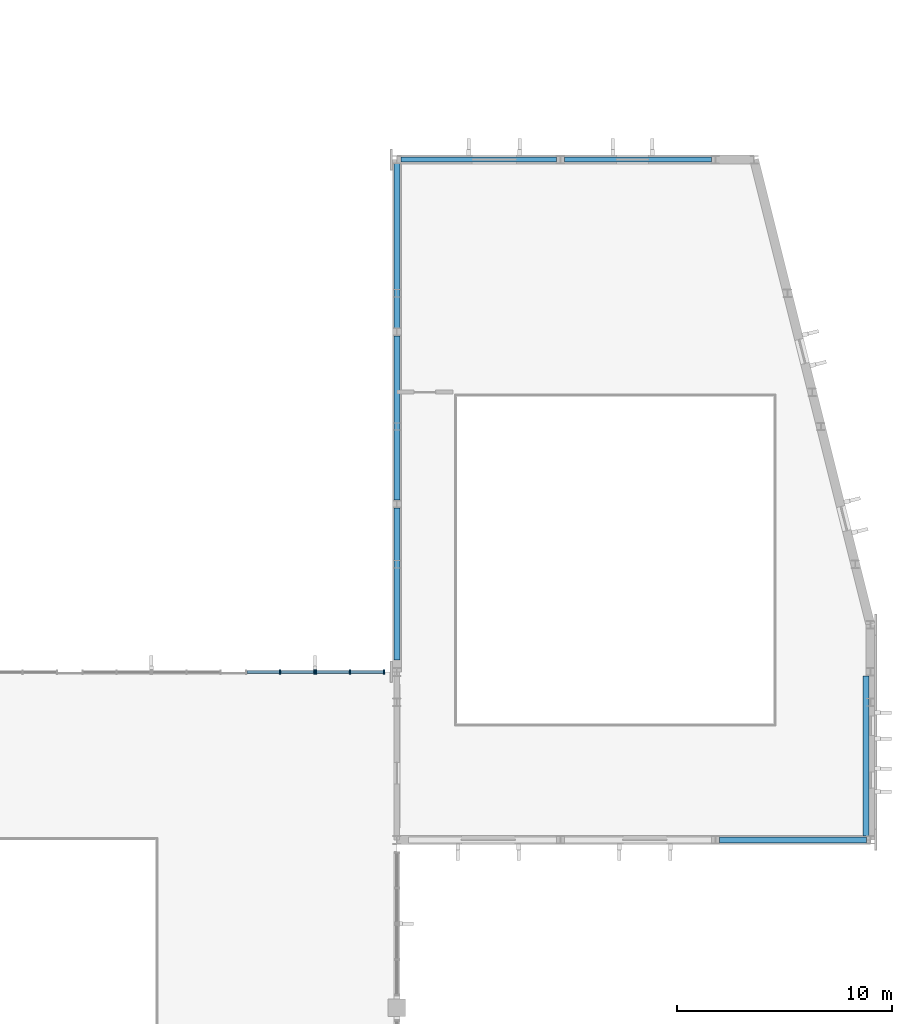
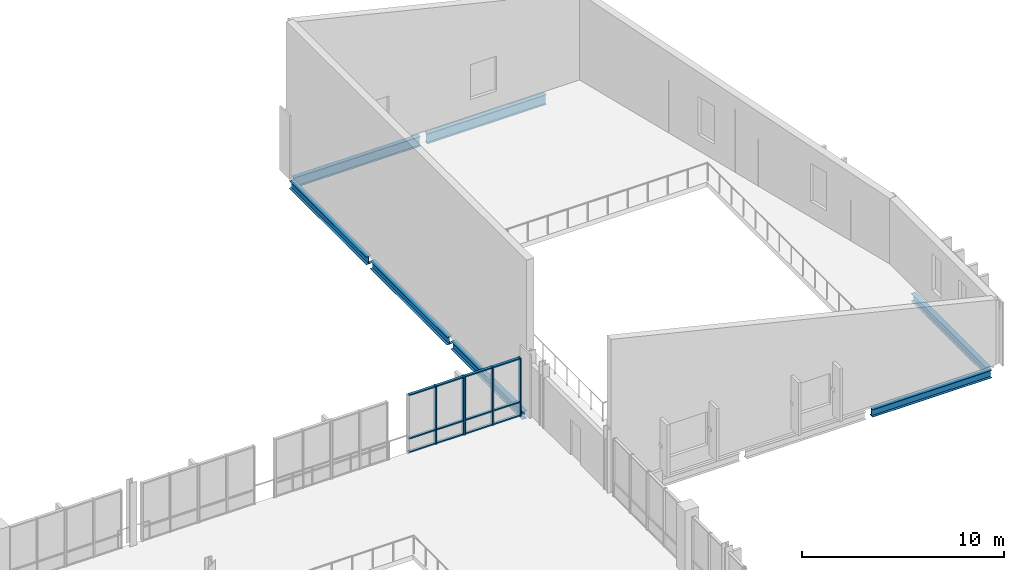
# One storey, part 28 of 64: 17 members, 7 beams, 2 elements without a shape of their own.
"""IFC4 building model written with IfcOpenShell, lengths in metres."""

from ifc_helpers import new_model, si_unit, direction, frame, origin, origin_2d, place, context, subcontext, project, spatial, rectangle, i_section, extrude, material, material_profile, profile_set, type_object, element, aggregate, save


model = new_model("IFC4")

# Units and contexts
model_context = context("Model", 3, precision=1e-05, world=origin(), true_north=direction((0.0, 1.0)))
body_context = subcontext(model_context, "Body", "Model", "MODEL_VIEW")
ifc_project = project(units=[si_unit("LENGTHUNIT", "METRE"), si_unit("AREAUNIT", "SQUARE_METRE"), si_unit("VOLUMEUNIT", "CUBIC_METRE"), si_unit("PLANEANGLEUNIT", "RADIAN"), si_unit("MASSUNIT", "GRAM", prefix="KILO")], contexts=[model_context])

# Site, building, storey
site_placement = place(None, origin())
site = spatial("IfcSite", under=ifc_project, at=site_placement, CompositionType="ELEMENT")
building_placement = place(site_placement, origin())
building = spatial("IfcBuilding", under=site, at=building_placement, Name="Vervanel Yard Central Library", CompositionType="ELEMENT")
storey_placement = place(building_placement, frame((0.0, 0.0, 8.93994140625)))
storey = spatial("IfcBuildingStorey", under=building, at=storey_placement, Name="L02", CompositionType="ELEMENT", Elevation=8.93994140625)

# Curtain wall, members
ifc_material_1 = material(Name="Thermally broken anodized aluminium 6063-T6", Category="aluminium")
curtain_wall_type = type_object("IfcCurtainWallType", Name="Reading Hall Full-Height Curtain Wall", PredefinedType="NOTDEFINED", material=ifc_material_1)
curtain_wall_1_placement = place(storey_placement, origin())
curtain_wall_1 = element("IfcCurtainWall", 1, at=curtain_wall_1_placement, inside=storey, type_object=curtain_wall_type, Name="L02 Reading Hall Full-Height Curtain Wall CWR-L02-106", PredefinedType="NOTDEFINED")
ifc_material_profile_1 = material_profile(ifc_material_1, rectangle(XDim=0.070068359375, YDim=0.219970703125, at=origin_2d()), Name="ALU 70x220", Category="aluminium")
ifc_profile_set_1 = profile_set([ifc_material_profile_1], Name="Thermally broken anodized aluminium 6063-T6")
member_type_1 = type_object("IfcMemberType", Name="Reading Hall Deep Mullion 70x220", PredefinedType="MULLION", material=ifc_profile_set_1)
member_1_placement = place(storey_placement, frame((140.580078125, 82.199951171875, 0.0), z_axis=(0.0, 0.0, 1.0), x_axis=(1.0, 0.0, 0.0)))
member_1 = element("IfcMember", 2, at=member_1_placement, type_object=member_type_1, Name="CWR-L02-106 Mullion 2", PredefinedType="MULLION", context=body_context, shape_type="SweptSolid", body=[
    extrude(rectangle(XDim=0.070068359375, YDim=0.219970703125, at=origin_2d()), origin(), (0.0, 0.0, 1.0), 3.510009765625),
])
member_2_placement = place(storey_placement, frame((142.1650390625, 82.199951171875, 0.0), z_axis=(0.0, 0.0, 1.0), x_axis=(1.0, 0.0, 0.0)))
member_2 = element("IfcMember", 3, at=member_2_placement, type_object=member_type_1, Name="CWR-L02-106 Mullion 3", PredefinedType="MULLION", context=body_context, shape_type="SweptSolid", body=[
    extrude(rectangle(XDim=0.070068359375, YDim=0.219970703125, at=origin_2d()), origin(), (0.0, 0.0, 1.0), 3.510009765625),
])

curtain_wall_2_placement = place(storey_placement, origin())
curtain_wall_2 = element("IfcCurtainWall", 4, at=curtain_wall_2_placement, inside=storey, type_object=curtain_wall_type, Name="L02 Reading Hall Full-Height Curtain Wall CWR-L02-107", PredefinedType="NOTDEFINED")
member_3_placement = place(storey_placement, frame((142.235107421875, 82.199951171875, 0.0), z_axis=(0.0, 0.0, 1.0), x_axis=(1.0, 0.0, 0.0)))
member_3 = element("IfcMember", 5, at=member_3_placement, type_object=member_type_1, Name="CWR-L02-107 Mullion 1", PredefinedType="MULLION", context=body_context, shape_type="SweptSolid", body=[
    extrude(rectangle(XDim=0.070068359375, YDim=0.219970703125, at=origin_2d()), origin(), (0.0, 0.0, 1.0), 3.510009765625),
])
member_4_placement = place(storey_placement, frame((143.820068359375, 82.199951171875, 0.0), z_axis=(0.0, 0.0, 1.0), x_axis=(1.0, 0.0, 0.0)))
member_4 = element("IfcMember", 6, at=member_4_placement, type_object=member_type_1, Name="CWR-L02-107 Mullion 2", PredefinedType="MULLION", context=body_context, shape_type="SweptSolid", body=[
    extrude(rectangle(XDim=0.070068359375, YDim=0.219970703125, at=origin_2d()), origin(), (0.0, 0.0, 1.0), 3.510009765625),
])
member_5_placement = place(storey_placement, frame((145.405029296875, 82.199951171875, 0.0), z_axis=(0.0, 0.0, 1.0), x_axis=(1.0, 0.0, 0.0)))
member_5 = element("IfcMember", 7, at=member_5_placement, type_object=member_type_1, Name="CWR-L02-107 Mullion 3", PredefinedType="MULLION", context=body_context, shape_type="SweptSolid", body=[
    extrude(rectangle(XDim=0.070068359375, YDim=0.219970703125, at=origin_2d()), origin(), (0.0, 0.0, 1.0), 3.510009765625),
])

# Member
ifc_material_profile_2 = material_profile(ifc_material_1, rectangle(XDim=0.070068359375, YDim=0.14990234375, at=origin_2d()), Name="ALU 70x150", Category="aluminium")
ifc_profile_set_2 = profile_set([ifc_material_profile_2], Name="Thermally broken anodized aluminium 6063-T6")
member_type_2 = type_object("IfcMemberType", Name="Reading Hall Deep Transom 70x150", PredefinedType="NOTDEFINED", material=ifc_profile_set_2)
member_6_placement = place(storey_placement, frame((139.030029296875, 82.199951171875, 0.03515625), z_axis=(1.0, 0.0, 0.0), x_axis=(0.0, 0.0, 1.0)))
member_6 = element("IfcMember", 8, at=member_6_placement, type_object=member_type_2, Name="CWR-L02-106 Transom B1-T1", ObjectType="TRANSOM", PredefinedType="USERDEFINED", context=body_context, shape_type="SweptSolid", body=[
    extrude(rectangle(XDim=0.070068359375, YDim=0.14990234375, at=origin_2d()), origin(), (0.0, 0.0, 1.0), 1.514892578125),
])

member_7_placement = place(storey_placement, frame((139.030029296875, 82.199951171875, 0.85009765625), z_axis=(1.0, 0.0, 0.0), x_axis=(0.0, 0.0, 1.0)))
member_7 = element("IfcMember", 9, at=member_7_placement, type_object=member_type_2, Name="CWR-L02-106 Transom B1-T2", ObjectType="TRANSOM", PredefinedType="USERDEFINED", context=body_context, shape_type="SweptSolid", body=[
    extrude(rectangle(XDim=0.070068359375, YDim=0.14990234375, at=origin_2d()), origin(), (0.0, 0.0, 1.0), 1.514892578125),
])

member_8_placement = place(storey_placement, frame((139.030029296875, 82.199951171875, 3.47509765625), z_axis=(1.0, 0.0, 0.0), x_axis=(0.0, 0.0, 1.0)))
member_8 = element("IfcMember", 10, at=member_8_placement, type_object=member_type_2, Name="CWR-L02-106 Transom B1-T3", ObjectType="TRANSOM", PredefinedType="USERDEFINED", context=body_context, shape_type="SweptSolid", body=[
    extrude(rectangle(XDim=0.070068359375, YDim=0.14990234375, at=origin_2d()), origin(), (0.0, 0.0, 1.0), 1.514892578125),
])

member_9_placement = place(storey_placement, frame((140.614990234375, 82.199951171875, 0.03515625), z_axis=(1.0, 0.0, 0.0), x_axis=(0.0, 0.0, 1.0)))
member_9 = element("IfcMember", 11, at=member_9_placement, type_object=member_type_2, Name="CWR-L02-106 Transom B2-T1", ObjectType="TRANSOM", PredefinedType="USERDEFINED", context=body_context, shape_type="SweptSolid", body=[
    extrude(rectangle(XDim=0.070068359375, YDim=0.14990234375, at=origin_2d()), origin(), (0.0, 0.0, 1.0), 1.514892578125),
])

member_10_placement = place(storey_placement, frame((140.614990234375, 82.199951171875, 0.85009765625), z_axis=(1.0, 0.0, 0.0), x_axis=(0.0, 0.0, 1.0)))
member_10 = element("IfcMember", 12, at=member_10_placement, type_object=member_type_2, Name="CWR-L02-106 Transom B2-T2", ObjectType="TRANSOM", PredefinedType="USERDEFINED", context=body_context, shape_type="SweptSolid", body=[
    extrude(rectangle(XDim=0.070068359375, YDim=0.14990234375, at=origin_2d()), origin(), (0.0, 0.0, 1.0), 1.514892578125),
])

member_11_placement = place(storey_placement, frame((140.614990234375, 82.199951171875, 3.47509765625), z_axis=(1.0, 0.0, 0.0), x_axis=(0.0, 0.0, 1.0)))
member_11 = element("IfcMember", 13, at=member_11_placement, type_object=member_type_2, Name="CWR-L02-106 Transom B2-T3", ObjectType="TRANSOM", PredefinedType="USERDEFINED", context=body_context, shape_type="SweptSolid", body=[
    extrude(rectangle(XDim=0.070068359375, YDim=0.14990234375, at=origin_2d()), origin(), (0.0, 0.0, 1.0), 1.514892578125),
])

aggregate(curtain_wall_1, [member_1, member_2, member_6, member_7, member_8, member_9, member_10, member_11])

member_12_placement = place(storey_placement, frame((142.27001953125, 82.199951171875, 0.03515625), z_axis=(1.0, 0.0, 0.0), x_axis=(0.0, 0.0, 1.0)))
member_12 = element("IfcMember", 14, at=member_12_placement, type_object=member_type_2, Name="CWR-L02-107 Transom B1-T1", ObjectType="TRANSOM", PredefinedType="USERDEFINED", context=body_context, shape_type="SweptSolid", body=[
    extrude(rectangle(XDim=0.070068359375, YDim=0.14990234375, at=origin_2d()), origin(), (0.0, 0.0, 1.0), 1.514892578125),
])

member_13_placement = place(storey_placement, frame((142.27001953125, 82.199951171875, 0.85009765625), z_axis=(1.0, 0.0, 0.0), x_axis=(0.0, 0.0, 1.0)))
member_13 = element("IfcMember", 15, at=member_13_placement, type_object=member_type_2, Name="CWR-L02-107 Transom B1-T2", ObjectType="TRANSOM", PredefinedType="USERDEFINED", context=body_context, shape_type="SweptSolid", body=[
    extrude(rectangle(XDim=0.070068359375, YDim=0.14990234375, at=origin_2d()), origin(), (0.0, 0.0, 1.0), 1.514892578125),
])

member_14_placement = place(storey_placement, frame((142.27001953125, 82.199951171875, 3.47509765625), z_axis=(1.0, 0.0, 0.0), x_axis=(0.0, 0.0, 1.0)))
member_14 = element("IfcMember", 16, at=member_14_placement, type_object=member_type_2, Name="CWR-L02-107 Transom B1-T3", ObjectType="TRANSOM", PredefinedType="USERDEFINED", context=body_context, shape_type="SweptSolid", body=[
    extrude(rectangle(XDim=0.070068359375, YDim=0.14990234375, at=origin_2d()), origin(), (0.0, 0.0, 1.0), 1.514892578125),
])

member_15_placement = place(storey_placement, frame((143.85498046875, 82.199951171875, 0.03515625), z_axis=(1.0, 0.0, 0.0), x_axis=(0.0, 0.0, 1.0)))
member_15 = element("IfcMember", 17, at=member_15_placement, type_object=member_type_2, Name="CWR-L02-107 Transom B2-T1", ObjectType="TRANSOM", PredefinedType="USERDEFINED", context=body_context, shape_type="SweptSolid", body=[
    extrude(rectangle(XDim=0.070068359375, YDim=0.14990234375, at=origin_2d()), origin(), (0.0, 0.0, 1.0), 1.51513671875),
])

member_16_placement = place(storey_placement, frame((143.85498046875, 82.199951171875, 0.85009765625), z_axis=(1.0, 0.0, 0.0), x_axis=(0.0, 0.0, 1.0)))
member_16 = element("IfcMember", 18, at=member_16_placement, type_object=member_type_2, Name="CWR-L02-107 Transom B2-T2", ObjectType="TRANSOM", PredefinedType="USERDEFINED", context=body_context, shape_type="SweptSolid", body=[
    extrude(rectangle(XDim=0.070068359375, YDim=0.14990234375, at=origin_2d()), origin(), (0.0, 0.0, 1.0), 1.51513671875),
])

member_17_placement = place(storey_placement, frame((143.85498046875, 82.199951171875, 3.47509765625), z_axis=(1.0, 0.0, 0.0), x_axis=(0.0, 0.0, 1.0)))
member_17 = element("IfcMember", 19, at=member_17_placement, type_object=member_type_2, Name="CWR-L02-107 Transom B2-T3", ObjectType="TRANSOM", PredefinedType="USERDEFINED", context=body_context, shape_type="SweptSolid", body=[
    extrude(rectangle(XDim=0.070068359375, YDim=0.14990234375, at=origin_2d()), origin(), (0.0, 0.0, 1.0), 1.51513671875),
])

aggregate(curtain_wall_2, [member_3, member_4, member_5, member_12, member_13, member_14, member_15, member_16, member_17])

# Beams
ifc_material_2 = material(Name="Steel ASTM A992 Grade 50", Category="steel")
ifc_material_profile_3 = material_profile(ifc_material_2, i_section(OverallWidth=0.22900390625, OverallDepth=0.612060546875, WebThickness=0.011962890625, FlangeThickness=0.01953125, at=origin_2d()), Name="W24X84", Category="steel")
ifc_profile_set_3 = profile_set([ifc_material_profile_3], Name="Steel ASTM A992 Grade 50")
beam_type_1 = type_object("IfcBeamType", Name="Steel Primary Girder W24X84", PredefinedType="BEAM", material=ifc_profile_set_3)
beam_1_placement = place(storey_placement, frame((146.186767578125, 106.0, -0.60107421875), z_axis=(1.0, 0.0, 0.0), x_axis=(0.0, 1.0, 0.0)))
element("IfcBeam", 20, at=beam_1_placement, inside=storey, type_object=beam_type_1, Name="L02 Girder SB-01 Y=106.0 X=146.0-153.6", PredefinedType="BEAM", context=body_context, shape_type="SweptSolid", body=[
    extrude(i_section(OverallWidth=0.22900390625, OverallDepth=0.612060546875, WebThickness=0.011962890625, FlangeThickness=0.01953125, at=origin_2d()), origin(), (0.0, 0.0, 1.0), 7.2265625),
])
beam_2_placement = place(storey_placement, frame((153.78662109375, 106.0, -0.60107421875), z_axis=(1.0, 0.0, 0.0), x_axis=(0.0, 1.0, 0.0)))
element("IfcBeam", 21, at=beam_2_placement, inside=storey, type_object=beam_type_1, Name="L02 Girder SB-01 Y=106.0 X=153.6-160.8", PredefinedType="BEAM", context=body_context, shape_type="SweptSolid", body=[
    extrude(i_section(OverallWidth=0.22900390625, OverallDepth=0.612060546875, WebThickness=0.011962890625, FlangeThickness=0.01953125, at=origin_2d()), origin(), (0.0, 0.0, 1.0), 6.82666015625),
])
ifc_material_profile_4 = material_profile(ifc_material_2, i_section(OverallWidth=0.281982421875, OverallDepth=0.46728515625, WebThickness=0.01220703125, FlangeThickness=0.01953125, at=origin_2d()), Name="W18X86", Category="steel")
ifc_profile_set_4 = profile_set([ifc_material_profile_4], Name="Steel ASTM A992 Grade 50")
beam_type_2 = type_object("IfcBeamType", Name="Steel Spandrel Beam W18X86", PredefinedType="SPANDREL", material=ifc_profile_set_4)
beam_3_placement = place(storey_placement, frame((160.98681640625, 74.39990234375, -0.528564453125), z_axis=(1.0, 0.0, 0.0), x_axis=(0.0, 1.0, 0.0)))
element("IfcBeam", 22, at=beam_3_placement, inside=storey, type_object=beam_type_2, Name="L02 Girder SP-02 Y=74.4 X=160.8-168.0", PredefinedType="SPANDREL", context=body_context, shape_type="SweptSolid", body=[
    extrude(i_section(OverallWidth=0.281982421875, OverallDepth=0.46728515625, WebThickness=0.01220703125, FlangeThickness=0.01953125, at=origin_2d()), origin(), (0.0, 0.0, 1.0), 6.826416015625),
])
beam_4_placement = place(storey_placement, frame((146.0, 82.75, -0.528564453125), z_axis=(0.0, 1.0, 0.0), x_axis=(-1.0, 0.0, 0.0)))
element("IfcBeam", 23, at=beam_4_placement, inside=storey, type_object=beam_type_2, Name="L02 Girder SP-02 X=146.0 Y=82.2-90.0", PredefinedType="SPANDREL", context=body_context, shape_type="SweptSolid", body=[
    extrude(i_section(OverallWidth=0.281982421875, OverallDepth=0.46728515625, WebThickness=0.01220703125, FlangeThickness=0.01953125, at=origin_2d()), origin(), (0.0, 0.0, 1.0), 7.06591796875),
])
for number, where, z_axis, x_axis, name in (
    (24, (146.0, 90.18408203125, -0.528564453125), (0.0, 1.0, 0.0), (-1.0, 0.0, 0.0), "L02 Girder SP-02 X=146.0 Y=90.0-98.0"),
    (25, (146.0, 98.18408203125, -0.528564453125), (0.0, 1.0, 0.0), (-1.0, 0.0, 0.0), "L02 Girder SP-02 X=146.0 Y=98.0-106.0"),
):
    element("IfcBeam", number, at=place(storey_placement, frame(where, z_axis=z_axis, x_axis=x_axis)), inside=storey, type_object=beam_type_2, Name=name, PredefinedType="SPANDREL", context=body_context, shape_type="SweptSolid", body=[
        extrude(i_section(OverallWidth=0.281982421875, OverallDepth=0.46728515625, WebThickness=0.01220703125, FlangeThickness=0.01953125, at=origin_2d()), origin(), (0.0, 0.0, 1.0), 7.6318359375),
    ])
beam_5_placement = place(storey_placement, frame((167.800048828125, 74.584228515625, -0.528564453125), z_axis=(0.0, 1.0, 0.0), x_axis=(-1.0, 0.0, 0.0)))
element("IfcBeam", 26, at=beam_5_placement, inside=storey, type_object=beam_type_2, Name="L02 Girder SP-02 X=168.0 Y=74.4-82.2", PredefinedType="SPANDREL", context=body_context, shape_type="SweptSolid", body=[
    extrude(i_section(OverallWidth=0.281982421875, OverallDepth=0.46728515625, WebThickness=0.01220703125, FlangeThickness=0.01953125, at=origin_2d()), origin(), (0.0, 0.0, 1.0), 7.431640625),
])

save(model, "model.ifc")
